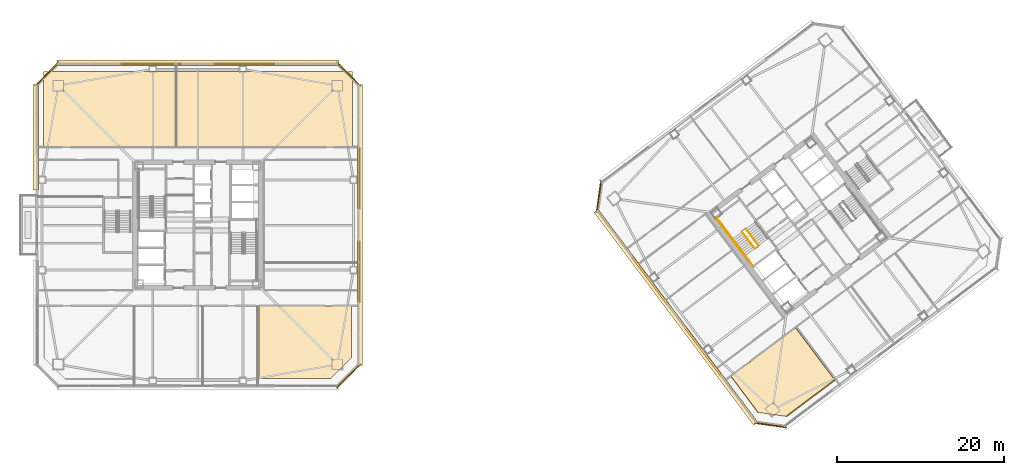
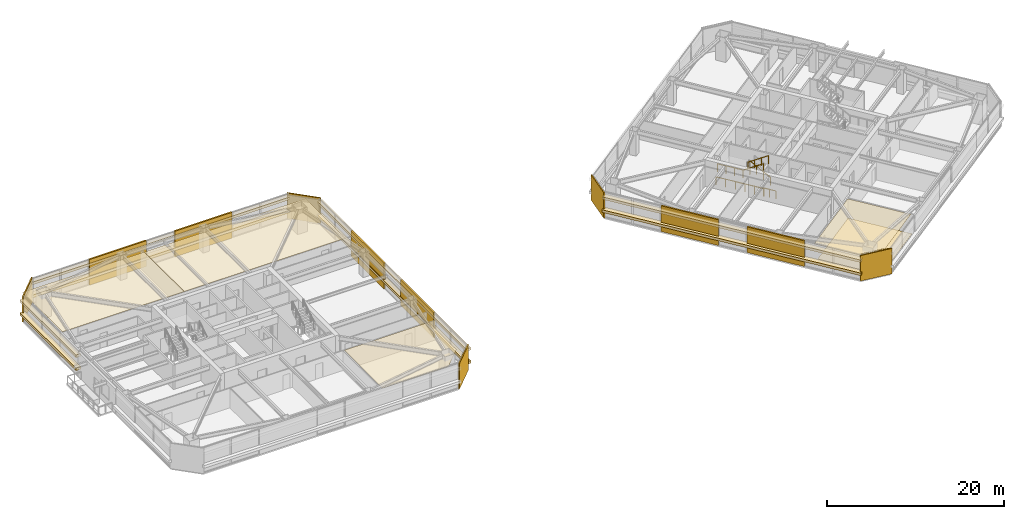
# One storey, part 41 of 44: 24 coverings, 6 railings.
"""IFC4 building model written with IfcOpenShell, lengths in metres."""

from ifc_helpers import new_model, si_unit, direction, frame, origin, origin_2d, place, context, subcontext, project, spatial, polyline, rectangle, outline, extrude, material, layer, layer_set, type_object, element, save


model = new_model("IFC4")

# Units and contexts
model_context = context("Model", 3, precision=1e-05, world=origin(), true_north=direction((0.0, 1.0)))
body_context = subcontext(model_context, "Body", "Model", "MODEL_VIEW")
ifc_project = project(units=[si_unit("LENGTHUNIT", "METRE"), si_unit("AREAUNIT", "SQUARE_METRE"), si_unit("VOLUMEUNIT", "CUBIC_METRE"), si_unit("PLANEANGLEUNIT", "RADIAN"), si_unit("MASSUNIT", "GRAM", prefix="KILO")], contexts=[model_context])

# Site, building, storey
site_placement = place(None, origin())
site = spatial("IfcSite", under=ifc_project, at=site_placement, CompositionType="ELEMENT")
building_placement = place(site_placement, origin())
building = spatial("IfcBuilding", under=site, at=building_placement, Name="Tashvorn Skyway Center", CompositionType="ELEMENT")
storey_placement = place(building_placement, frame((0.0, 0.0, 128.60009765625)))
storey = spatial("IfcBuildingStorey", under=building, at=storey_placement, Name="L34", CompositionType="ELEMENT", Elevation=128.60009765625)

# Coverings
ifc_material_1 = material(Name="Precast concrete C40/50", Category="concrete")
ifc_layer_1 = layer(ifc_material_1, 0.199951171875)
ifc_layer_set_1 = layer_set([ifc_layer_1], Name="Precast concrete C40/50")
covering_type_1 = type_object("IfcCoveringType", Name="COV-BRACE-CLAD", PredefinedType="CLADDING", material=ifc_layer_set_1)
for number, where, z_axis, x_axis, name in (
    (1, (36.40673828125, 51.280029296875, 0.0), (0.0, 0.0, 1.0), (1.0, 0.0, 0.0), "Tower 1 L34 North Unitised Curtain Wall Mega-Brace Cladding Band 1"),
    (2, (47.59326171875, 51.280029296875, 0.0), (0.0, 0.0, 1.0), (1.0, 0.0, 0.0), "Tower 1 L34 North Unitised Curtain Wall Mega-Brace Cladding Band 2"),
    (3, (61.280029296875, 37.59326171875, 0.0), (0.0, 0.0, 1.0), (0.0, -1.0, 0.0), "Tower 1 L34 East Unitised Curtain Wall Mega-Brace Cladding Band 1"),
    (4, (61.280029296875, 26.40673828125, 0.0), (0.0, 0.0, 1.0), (0.0, -1.0, 0.0), "Tower 1 L34 East Unitised Curtain Wall Mega-Brace Cladding Band 2"),
):
    element("IfcCovering", number, at=place(storey_placement, frame(where, z_axis=z_axis, x_axis=x_axis)), inside=storey, type_object=covering_type_1, Name=name, PredefinedType="CLADDING", context=body_context, shape_type="SweptSolid", body=[
        extrude(rectangle(XDim=7.457763671875, YDim=0.199951171875, at=origin_2d()), origin(), (0.0, 0.0, 1.0), 3.550048828125),
    ])
for number, where, z_axis, x_axis, name in (
    (5, (102.552001953125, 16.79736328125, 0.0), (0.0, 0.0, 1.0), (-0.600000004945, 0.799999996291, 0.0), "Tower 2 L34 West Unitised Curtain Wall Mega-Brace Cladding Band 1"),
    (6, (96.199951171875, 25.2666015625, 0.0), (0.0, 0.0, 1.0), (-0.600000004945, 0.799999996291, 0.0), "Tower 2 L34 West Unitised Curtain Wall Mega-Brace Cladding Band 2"),
):
    element("IfcCovering", number, at=place(storey_placement, frame(where, z_axis=z_axis, x_axis=x_axis)), inside=storey, type_object=covering_type_1, Name=name, PredefinedType="CLADDING", context=body_context, shape_type="SweptSolid", body=[
        extrude(rectangle(XDim=7.0576171875, YDim=0.199951171875, at=origin_2d()), origin(), (0.0, 0.0, 1.0), 3.550048828125),
    ])
ifc_material_2 = material(Name="Mineral-fibre acoustic ceiling tile on suspended grid")
ifc_layer_2 = layer(ifc_material_2, 0.02001953125)
ifc_layer_set_2 = layer_set([ifc_layer_2], Name="Mineral-fibre acoustic ceiling tile on suspended grid")
covering_type_2 = type_object("IfcCoveringType", Name="COV-CEIL-20", PredefinedType="CEILING", material=ifc_layer_set_2)
covering_1_placement = place(storey_placement, frame((0.0, 0.0, 2.702880859375)))
element("IfcCovering", 7, at=covering_1_placement, inside=storey, type_object=covering_type_2, Name="Tower 1 L34 Open Plan Office Acoustic Ceiling", PredefinedType="CEILING", context=body_context, shape_type="SweptSolid", body=[
    extrude(outline(polyline([(23.5, 41.35009765625), (39.39990234375, 41.35009765625), (39.39990234375, 50.39990234375), (23.5, 50.39990234375), (23.5, 41.35009765625)])), origin(), (0.0, 0.0, 1.0), 0.02001953125),
])
covering_2_placement = place(storey_placement, frame((0.0, 0.0, 2.702880859375)))
element("IfcCovering", 8, at=covering_2_placement, inside=storey, type_object=covering_type_2, Name="Tower 1 L34 Open Plan Office Acoustic Ceiling", PredefinedType="CEILING", context=body_context, shape_type="SweptSolid", body=[
    extrude(outline(polyline([(39.39990234375, 41.35009765625), (60.5, 41.35009765625), (60.5, 50.39990234375), (39.39990234375, 50.39990234375), (39.39990234375, 41.35009765625)])), origin(), (0.0, 0.0, 1.0), 0.02001953125),
])
covering_3_placement = place(storey_placement, frame((0.0, 0.0, 2.702880859375)))
element("IfcCovering", 9, at=covering_3_placement, inside=storey, type_object=covering_type_2, Name="Tower 1 L34 Staff Fitness Club Acoustic Ceiling", PredefinedType="CEILING", context=body_context, shape_type="SweptSolid", body=[
    extrude(outline(polyline([(49.320068359375, 13.6201171875), (49.320068359375, 22.2900390625), (60.3798828125, 22.2900390625), (60.3798828125, 16.080078125), (57.919921875, 13.6201171875), (49.320068359375, 13.6201171875)])), origin(), (0.0, 0.0, 1.0), 0.02001953125),
])
covering_4_placement = place(storey_placement, frame((0.0, 0.0, 2.702880859375)))
element("IfcCovering", 10, at=covering_4_placement, inside=storey, type_object=covering_type_2, Name="Tower 2 L34 Open Plan Office Acoustic Ceiling", PredefinedType="CEILING", context=body_context, shape_type="SweptSolid", body=[
    extrude(outline(polyline([(105.862060546875, 13.884033203125), (113.590087890625, 19.679931640625), (118.251953125, 13.464111328125), (112.412109375, 9.083984375), (109.10791015625, 9.555908203125), (105.862060546875, 13.884033203125)])), origin(), (0.0, 0.0, 1.0), 0.02001953125),
])
ifc_material_3 = material(Name="Polished Mojave desert-aggregate terrazzo and cover plate")
ifc_layer_3 = layer(ifc_material_3, 0.0400390625)
ifc_layer_set_3 = layer_set([ifc_layer_3], Name="Polished Mojave desert-aggregate terrazzo and cover plate")
covering_type_3 = type_object("IfcCoveringType", Name="COV-FLR-40", PredefinedType="FLOORING", material=ifc_layer_set_3)
covering_5_placement = place(storey_placement, origin())
element("IfcCovering", 11, at=covering_5_placement, inside=storey, type_object=covering_type_3, Name="Tower 2 L34 Open Plan Office Finish Flooring", PredefinedType="FLOORING", context=body_context, shape_type="SweptSolid", body=[
    extrude(outline(polyline([(112.580078125, 9.06005859375), (109.052001953125, 9.56396484375), (105.85400390625, 13.827880859375), (113.64599609375, 19.672119140625), (118.35595703125, 13.39208984375), (112.580078125, 9.06005859375)])), origin(), (0.0, 0.0, 1.0), 0.039794921875),
])
ifc_material_4 = material(Name="Perforated ceramic-coated bronze aluminium solar screen", Category="aluminium")
ifc_layer_4 = layer(ifc_material_4, 0.85009765625)
ifc_layer_set_4 = layer_set([ifc_layer_4], Name="Perforated ceramic-coated bronze aluminium solar screen")
covering_type_4 = type_object("IfcCoveringType", Name="COV-SOLAR-BAND", PredefinedType="CLADDING", material=ifc_layer_set_4)
for number, where, z_axis, x_axis, name in (
    (12, (22.580078125, 42.514892578125, 0.919921875), (0.0, 0.0, 1.0), (0.0, 1.0, 0.0), "L34 Perforated Ceramic-Metal Solar Screen Louvre Band West 1"),
    (13, (22.580078125, 42.514892578125, 2.7197265625), (0.0, 0.0, 1.0), (0.0, 1.0, 0.0), "L34 Perforated Ceramic-Metal Solar Screen Louvre Band West 2"),
):
    element("IfcCovering", number, at=place(storey_placement, frame(where, z_axis=z_axis, x_axis=x_axis)), inside=storey, type_object=covering_type_4, Name=name, PredefinedType="CLADDING", context=body_context, shape_type="SweptSolid", body=[
        extrude(rectangle(XDim=12.64990234375, YDim=0.639892578125, at=origin_2d()), origin(), (0.0, 0.0, 1.0), 0.360107421875),
    ])
for number, where, z_axis, x_axis, name in (
    (14, (42.0, 51.419921875, 0.919921875), (0.0, 0.0, 1.0), (1.0, 0.0, 0.0), "L34 Perforated Ceramic-Metal Solar Screen Louvre Band North 1"),
    (15, (42.0, 51.419921875, 2.7197265625), (0.0, 0.0, 1.0), (1.0, 0.0, 0.0), "L34 Perforated Ceramic-Metal Solar Screen Louvre Band North 2"),
    (16, (61.419921875, 32.0, 0.919921875), (0.0, 0.0, 1.0), (0.0, -1.0, 0.0), "L34 Perforated Ceramic-Metal Solar Screen Louvre Band East 1"),
    (17, (61.419921875, 32.0, 2.7197265625), (0.0, 0.0, 1.0), (0.0, -1.0, 0.0), "L34 Perforated Ceramic-Metal Solar Screen Louvre Band East 2"),
):
    element("IfcCovering", number, at=place(storey_placement, frame(where, z_axis=z_axis, x_axis=x_axis)), inside=storey, type_object=covering_type_4, Name=name, PredefinedType="CLADDING", context=body_context, shape_type="SweptSolid", body=[
        extrude(rectangle(XDim=33.679931640625, YDim=0.639892578125, at=origin_2d()), origin(), (0.0, 0.0, 1.0), 0.360107421875),
    ])
for number, where, z_axis, x_axis, name in (
    (18, (99.263916015625, 20.947998046875, 0.919921875), (0.0, 0.0, 1.0), (-0.600000004945, 0.799999996291, 0.0), "L34 Perforated Ceramic-Metal Solar Screen Louvre Band West 1"),
    (19, (99.263916015625, 20.947998046875, 2.7197265625), (0.0, 0.0, 1.0), (-0.600000004945, 0.799999996291, 0.0), "L34 Perforated Ceramic-Metal Solar Screen Louvre Band West 2"),
):
    element("IfcCovering", number, at=place(storey_placement, frame(where, z_axis=z_axis, x_axis=x_axis)), inside=storey, type_object=covering_type_4, Name=name, PredefinedType="CLADDING", context=body_context, shape_type="SweptSolid", body=[
        extrude(rectangle(XDim=31.8798828125, YDim=0.639892578125, at=origin_2d()), origin(), (0.0, 0.0, 1.0), 0.360107421875),
    ])
ifc_layer_5 = layer(ifc_material_1, 0.35009765625)
ifc_layer_set_5 = layer_set([ifc_layer_5], Name="Precast concrete C40/50")
covering_type_5 = type_object("IfcCoveringType", Name="COV-STONE-TRIM", PredefinedType="CLADDING", material=ifc_layer_set_5)
for number, where, z_axis, x_axis, name in (
    (20, (23.929931640625, 50.070068359375, 0.02001953125), (0.0, 0.0, 1.0), (-0.707106781187, -0.707106781187, 0.0), "Tower 1 L34 NW Mojave Limestone Corner Quoin"),
    (21, (60.070068359375, 50.070068359375, 0.02001953125), (0.0, 0.0, 1.0), (0.707106781187, -0.707106781187, 0.0), "Tower 1 L34 NE Mojave Limestone Corner Quoin"),
    (22, (60.070068359375, 13.929931640625, 0.02001953125), (0.0, 0.0, 1.0), (0.707106781187, 0.707106781187, 0.0), "Tower 1 L34 SE Mojave Limestone Corner Quoin"),
):
    element("IfcCovering", number, at=place(storey_placement, frame(where, z_axis=z_axis, x_axis=x_axis)), inside=storey, type_object=covering_type_5, Name=name, PredefinedType="CLADDING", context=body_context, shape_type="SweptSolid", body=[
        extrude(rectangle(XDim=3.978515625, YDim=0.139892578125, at=origin_2d()), origin(), (0.0, 0.0, 1.0), 3.510009765625),
    ])
for number, where, z_axis, x_axis, name in (
    (23, (110.575927734375, 8.031982421875, 0.02001953125), (0.0, 0.0, 1.0), (-0.989949494535, 0.141421350118, 0.0), "Tower 2 L34 SW Mojave Limestone Corner Quoin"),
    (24, (90.031982421875, 35.424072265625, 0.02001953125), (0.0, 0.0, 1.0), (-0.141421350118, -0.989949494535, 0.0), "Tower 2 L34 NW Mojave Limestone Corner Quoin"),
):
    element("IfcCovering", number, at=place(storey_placement, frame(where, z_axis=z_axis, x_axis=x_axis)), inside=storey, type_object=covering_type_5, Name=name, PredefinedType="CLADDING", context=body_context, shape_type="SweptSolid", body=[
        extrude(rectangle(XDim=3.8369140625, YDim=0.139892578125, at=origin_2d()), origin(), (0.0, 0.0, 1.0), 3.510009765625),
    ])

# Railings
ifc_material_5 = material(Name="Brushed stainless steel 316", Category="steel")
railing_type_1 = type_object("IfcRailingType", Name="RAIL-HAND-920", PredefinedType="HANDRAIL", material=ifc_material_5)
railing_1_placement = place(storey_placement, frame((106.072021484375, 30.35400390625, 1.952392578125)))
element("IfcRailing", 25, at=railing_1_placement, inside=storey, type_object=railing_type_1, Name="L34 ST-T2-1 stair handrail 2", PredefinedType="HANDRAIL", context=body_context, shape_type="SweptSolid", body=[
    extrude(rectangle(XDim=0.048095703125, YDim=0.048095703125, at=origin_2d()), frame((0.0, 0.0, 0.8759765625), z_axis=(0.506740800098, -0.675708949977, 0.535379469569), x_axis=(0.800023250257, 0.599968998406, 0.0)), (0.0, 0.0, 1.0), 2.983642578125),
    extrude(rectangle(XDim=0.0419921875, YDim=0.0419921875, at=origin_2d()), origin(), (0.0, 0.0, 1.0), 0.851806640625),
    extrude(rectangle(XDim=0.0419921875, YDim=0.0419921875, at=origin_2d()), frame((0.50390625, -0.672119140625, 0.532470703125)), (0.0, 0.0, 1.0), 0.851806640625),
    extrude(rectangle(XDim=0.0419921875, YDim=0.0419921875, at=origin_2d()), frame((1.008056640625, -1.343994140625, 1.06494140625)), (0.0, 0.0, 1.0), 0.851806640625),
    extrude(rectangle(XDim=0.0419921875, YDim=0.0419921875, at=origin_2d()), frame((1.511962890625, -2.01611328125, 1.597412109375)), (0.0, 0.0, 1.0), 0.851806640625),
])
ifc_material_6 = material(Name="Painted galvanized steel S355", Category="steel")
railing_type_2 = type_object("IfcRailingType", Name="RAIL-STGUARD-1100", PredefinedType="GUARDRAIL", material=ifc_material_6)
railing_2_placement = place(storey_placement, frame((109.16796875, 29.52587890625, 0.177490234375)))
element("IfcRailing", 26, at=railing_2_placement, inside=storey, type_object=railing_type_2, Name="L34 ST-T2-1 stair guard 1", PredefinedType="GUARDRAIL", context=body_context, shape_type="SweptSolid", body=[
    extrude(rectangle(XDim=0.048095703125, YDim=0.048095703125, at=origin_2d()), frame((0.0, 0.0, 1.076171875), z_axis=(-0.506740800098, 0.675708949977, 0.535379469569), x_axis=(-0.800023250257, -0.599968998406, 0.0)), (0.0, 0.0, 1.0), 2.983642578125),
    extrude(rectangle(XDim=0.0419921875, YDim=0.0419921875, at=origin_2d()), origin(), (0.0, 0.0, 1.0), 1.052001953125),
    extrude(rectangle(XDim=0.0419921875, YDim=0.0419921875, at=origin_2d()), frame((-0.50390625, 0.672119140625, 0.532470703125)), (0.0, 0.0, 1.0), 1.052001953125),
    extrude(rectangle(XDim=0.0419921875, YDim=0.0419921875, at=origin_2d()), frame((-1.008056640625, 1.343994140625, 1.06494140625)), (0.0, 0.0, 1.0), 1.052001953125),
    extrude(rectangle(XDim=0.0419921875, YDim=0.0419921875, at=origin_2d()), frame((-1.511962890625, 2.01611328125, 1.597412109375)), (0.0, 0.0, 1.0), 1.052001953125),
])
railing_3_placement = place(storey_placement, frame((106.072021484375, 30.35400390625, 1.77490234375)))
element("IfcRailing", 27, at=railing_3_placement, inside=storey, type_object=railing_type_2, Name="L34 ST-T2-1 stair guard 3", PredefinedType="GUARDRAIL", context=body_context, shape_type="SweptSolid", body=[
    extrude(rectangle(XDim=0.048095703125, YDim=0.048095703125, at=origin_2d()), frame((0.0, 0.0, 1.076171875), z_axis=(-0.599987638607, 0.800009270896, 0.0), x_axis=(-0.800009270896, -0.599987638607, 0.0)), (0.0, 0.0, 1.0), 3.16015625),
    extrude(rectangle(XDim=0.0419921875, YDim=0.0419921875, at=origin_2d()), origin(), (0.0, 0.0, 1.0), 1.052001953125),
    extrude(rectangle(XDim=0.0419921875, YDim=0.0419921875, at=origin_2d()), frame((-0.632080078125, 0.8427734375, 0.0)), (0.0, 0.0, 1.0), 1.052001953125),
    extrude(rectangle(XDim=0.0419921875, YDim=0.0419921875, at=origin_2d()), frame((-1.263916015625, 1.685302734375, 0.0)), (0.0, 0.0, 1.0), 1.052001953125),
    extrude(rectangle(XDim=0.0419921875, YDim=0.0419921875, at=origin_2d()), frame((-1.89599609375, 2.528076171875, 0.0)), (0.0, 0.0, 1.0), 1.052001953125),
])
railing_4_placement = place(storey_placement, frame((107.19189453125, 31.194091796875, 1.952392578125)))
element("IfcRailing", 28, at=railing_4_placement, inside=storey, type_object=railing_type_2, Name="L34 ST-T2-1 stair guard 4", PredefinedType="GUARDRAIL", context=body_context, shape_type="SweptSolid", body=[
    extrude(rectangle(XDim=0.048095703125, YDim=0.048095703125, at=origin_2d()), frame((0.0, 0.0, 1.076171875), z_axis=(0.506801609611, -0.675680931896, 0.535357270211), x_axis=(0.799976749893, 0.600030998891, 0.0)), (0.0, 0.0, 1.0), 2.98388671875),
    extrude(rectangle(XDim=0.0419921875, YDim=0.0419921875, at=origin_2d()), origin(), (0.0, 0.0, 1.0), 1.052001953125),
    extrude(rectangle(XDim=0.0419921875, YDim=0.0419921875, at=origin_2d()), frame((0.504150390625, -0.672119140625, 0.532470703125)), (0.0, 0.0, 1.0), 1.052001953125),
    extrude(rectangle(XDim=0.0419921875, YDim=0.0419921875, at=origin_2d()), frame((1.008056640625, -1.343994140625, 1.06494140625)), (0.0, 0.0, 1.0), 1.052001953125),
    extrude(rectangle(XDim=0.0419921875, YDim=0.0419921875, at=origin_2d()), frame((1.51220703125, -2.01611328125, 1.597412109375)), (0.0, 0.0, 1.0), 1.052001953125),
])
railing_5_placement = place(storey_placement, frame((108.49609375, 27.1220703125, 0.0)))
element("IfcRailing", 29, at=railing_5_placement, inside=storey, type_object=railing_type_2, Name="L34 ST-T2-1 stair guard 6", PredefinedType="GUARDRAIL", context=body_context, shape_type="SweptSolid", body=[
    extrude(rectangle(XDim=0.048095703125, YDim=0.048095703125, at=origin_2d()), frame((0.0, 0.0, 1.076171875), z_axis=(-0.600102796382, 0.799922892393, 0.0), x_axis=(-0.799922892393, -0.600102796382, 0.0)), (0.0, 0.0, 1.0), 1.52001953125),
    extrude(rectangle(XDim=0.0419921875, YDim=0.0419921875, at=origin_2d()), origin(), (0.0, 0.0, 1.0), 1.052001953125),
    extrude(rectangle(XDim=0.0419921875, YDim=0.0419921875, at=origin_2d()), frame((-0.4560546875, 0.60791015625, 0.0)), (0.0, 0.0, 1.0), 1.052001953125),
    extrude(rectangle(XDim=0.0419921875, YDim=0.0419921875, at=origin_2d()), frame((-0.912109375, 1.2158203125, 0.0)), (0.0, 0.0, 1.0), 1.052001953125),
])
railing_6_placement = place(storey_placement, frame((107.56396484375, 28.197998046875, 0.0)))
element("IfcRailing", 30, at=railing_6_placement, inside=storey, type_object=railing_type_2, Name="L34 ST-T2-1 stair guard 7", PredefinedType="GUARDRAIL", context=body_context, shape_type="SweptSolid", body=[
    extrude(rectangle(XDim=0.048095703125, YDim=0.048095703125, at=origin_2d()), frame((0.0, 0.0, 1.076171875), z_axis=(-0.6, 0.8, 0.0), x_axis=(-0.8, -0.6, 0.0)), (0.0, 0.0, 1.0), 5.880126953125),
    extrude(rectangle(XDim=0.0419921875, YDim=0.0419921875, at=origin_2d()), origin(), (0.0, 0.0, 1.0), 1.052001953125),
    extrude(rectangle(XDim=0.0419921875, YDim=0.0419921875, at=origin_2d()), frame((-0.70556640625, 0.94091796875, 0.0)), (0.0, 0.0, 1.0), 1.052001953125),
    extrude(rectangle(XDim=0.0419921875, YDim=0.0419921875, at=origin_2d()), frame((-1.4111328125, 1.881591796875, 0.0)), (0.0, 0.0, 1.0), 1.052001953125),
    extrude(rectangle(XDim=0.0419921875, YDim=0.0419921875, at=origin_2d()), frame((-2.116943359375, 2.822509765625, 0.0)), (0.0, 0.0, 1.0), 1.052001953125),
    extrude(rectangle(XDim=0.0419921875, YDim=0.0419921875, at=origin_2d()), frame((-2.822509765625, 3.76318359375, 0.0)), (0.0, 0.0, 1.0), 1.052001953125),
    extrude(rectangle(XDim=0.0419921875, YDim=0.0419921875, at=origin_2d()), frame((-3.528076171875, 4.7041015625, 0.0)), (0.0, 0.0, 1.0), 1.052001953125),
])

save(model, "model.ifc")
